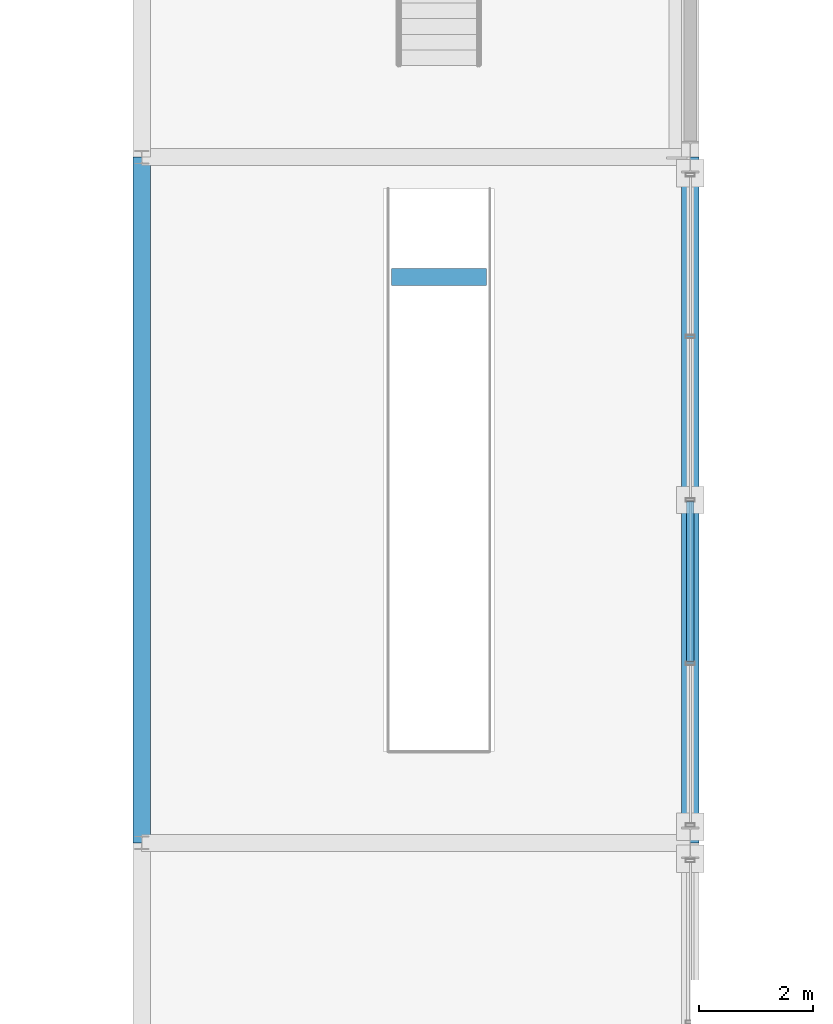
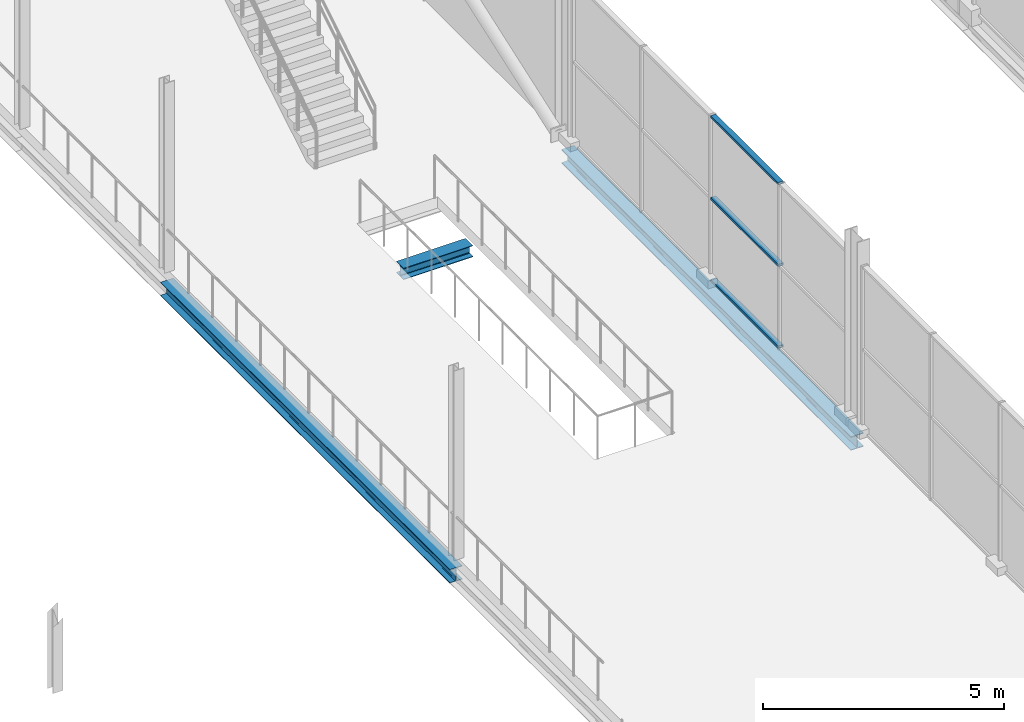
# One storey, part 37 of 159: 3 beams, 3 members, 1 element without a shape of its own.
"""IFC4 building model written with IfcOpenShell, lengths in metres."""

from ifc_helpers import new_model, si_unit, direction, frame, origin, origin_2d, place, context, subcontext, project, spatial, hollow_rectangle, i_section, extrude, material, material_profile, profile_set, type_object, element, aggregate, save


model = new_model("IFC4")

# Units and contexts
model_context = context("Model", 3, precision=1e-05, world=origin(), true_north=direction((0.0, 1.0)))
body_context = subcontext(model_context, "Body", "Model", "MODEL_VIEW")
ifc_project = project(units=[si_unit("LENGTHUNIT", "METRE"), si_unit("AREAUNIT", "SQUARE_METRE"), si_unit("VOLUMEUNIT", "CUBIC_METRE"), si_unit("PLANEANGLEUNIT", "RADIAN"), si_unit("MASSUNIT", "GRAM", prefix="KILO")], contexts=[model_context])

# Site, building, storey
site_placement = place(None, origin())
site = spatial("IfcSite", under=ifc_project, at=site_placement, CompositionType="ELEMENT")
building_placement = place(site_placement, origin())
building = spatial("IfcBuilding", under=site, at=building_placement, Name="Merenkruunu Market Hall", CompositionType="ELEMENT")
storey_placement = place(building_placement, frame((0.0, 0.0, 5.39990234375)))
storey = spatial("IfcBuildingStorey", under=building, at=storey_placement, Name="L01", CompositionType="ELEMENT", Elevation=5.39990234375)

# Curtain wall, members
ifc_material_1 = material(Name="Powder-coated aluminium", Category="aluminium")
curtain_wall_type = type_object("IfcCurtainWallType", Name="Glazed Curtain Wall CW15", PredefinedType="USERDEFINED", material=ifc_material_1)
curtain_wall_placement = place(storey_placement, origin())
curtain_wall = element("IfcCurtainWall", 1, at=curtain_wall_placement, inside=storey, type_object=curtain_wall_type, Name="CW-L01-CWM01-125", ObjectType="GLAZED_FACADE", PredefinedType="USERDEFINED")
ifc_material_profile_1 = material_profile(ifc_material_1, hollow_rectangle(XDim=0.06005859375, YDim=0.125, WallThickness=0.00390625, at=origin_2d()), Name="ALU 60x125x4")
ifc_profile_set_1 = profile_set([ifc_material_profile_1], Name="Powder-coated aluminium")
member_type = type_object("IfcMemberType", Name="Curtain Wall Transom CWT01", PredefinedType="USERDEFINED", material=ifc_profile_set_1)
member_1_placement = place(storey_placement, frame((57.60009765625, 30.77001953125, 0.030029296875), z_axis=(0.0, 1.0, 0.0), x_axis=(0.0, 0.0, 1.0)))
member_1 = element("IfcMember", 2, at=member_1_placement, type_object=member_type, Name="CW15 transom 2.1", ObjectType="TRANSOM", PredefinedType="USERDEFINED", context=body_context, shape_type="SweptSolid", body=[
    extrude(hollow_rectangle(XDim=0.06005859375, YDim=0.125, WallThickness=0.00390625, at=origin_2d()), origin(), (0.0, 0.0, 1.0), 2.800048828125),
])
member_2_placement = place(storey_placement, frame((57.60009765625, 30.77001953125, 2.10009765625), z_axis=(0.0, 1.0, 0.0), x_axis=(0.0, 0.0, 1.0)))
member_2 = element("IfcMember", 3, at=member_2_placement, type_object=member_type, Name="CW15 transom 2.2", ObjectType="TRANSOM", PredefinedType="USERDEFINED", context=body_context, shape_type="SweptSolid", body=[
    extrude(hollow_rectangle(XDim=0.06005859375, YDim=0.125, WallThickness=0.00390625, at=origin_2d()), origin(), (0.0, 0.0, 1.0), 2.800048828125),
])
member_3_placement = place(storey_placement, frame((57.60009765625, 30.77001953125, 4.170166015625), z_axis=(0.0, 1.0, 0.0), x_axis=(0.0, 0.0, 1.0)))
member_3 = element("IfcMember", 4, at=member_3_placement, type_object=member_type, Name="CW15 transom 2.3", ObjectType="TRANSOM", PredefinedType="USERDEFINED", context=body_context, shape_type="SweptSolid", body=[
    extrude(hollow_rectangle(XDim=0.06005859375, YDim=0.125, WallThickness=0.00390625, at=origin_2d()), origin(), (0.0, 0.0, 1.0), 2.800048828125),
])
aggregate(curtain_wall, [member_1, member_2, member_3])

# Beams
ifc_material_2 = material(Name="Steel S355J2", Category="steel")
ifc_material_profile_2 = material_profile(ifc_material_2, i_section(OverallWidth=0.300048828125, OverallDepth=0.35009765625, WebThickness=0.010009765625, FlangeThickness=0.017578125, FilletRadius=0.027099609375, at=origin_2d()), Name="HEA 360")
ifc_profile_set_2 = profile_set([ifc_material_profile_2], Name="Steel S355J2")
beam_type_1 = type_object("IfcBeamType", Name="Primary Floor Girder B08", PredefinedType="BEAM", material=ifc_profile_set_2)
for number, where, z_axis, x_axis, name in (
    (5, (48.0, 27.60009765625, -0.454833984375), (0.0, 1.0, 0.0), (-1.0, 0.0, 0.0), "BM-L01-B08-0572"),
    (6, (57.60009765625, 27.60009765625, -0.454833984375), (0.0, 1.0, 0.0), (-1.0, 0.0, 0.0), "BM-L01-B08-0581"),
):
    element("IfcBeam", number, at=place(storey_placement, frame(where, z_axis=z_axis, x_axis=x_axis)), inside=storey, type_object=beam_type_1, Name=name, PredefinedType="BEAM", context=body_context, shape_type="SweptSolid", body=[
        extrude(i_section(OverallWidth=0.300048828125, OverallDepth=0.35009765625, WebThickness=0.010009765625, FlangeThickness=0.017578125, FilletRadius=0.027099609375, at=origin_2d()), origin(), (0.0, 0.0, 1.0), 12.0),
    ])
ifc_material_profile_3 = material_profile(ifc_material_2, i_section(OverallWidth=0.300048828125, OverallDepth=0.2900390625, WebThickness=0.008544921875, FlangeThickness=0.013916015625, FilletRadius=0.027099609375, at=origin_2d()), Name="HEA 300")
ifc_profile_set_3 = profile_set([ifc_material_profile_3], Name="Steel S355J2")
beam_type_2 = type_object("IfcBeamType", Name="Primary Floor Girder B09", PredefinedType="BEAM", material=ifc_profile_set_3)
beam_placement = place(storey_placement, frame((52.3701171875, 37.5, -0.294921875), z_axis=(1.0, 0.0, 0.0), x_axis=(0.0, 1.0, 0.0)))
element("IfcBeam", 7, at=beam_placement, inside=storey, type_object=beam_type_2, Name="BM-FST-TRIM-3", PredefinedType="BEAM", context=body_context, shape_type="SweptSolid", body=[
    extrude(i_section(OverallWidth=0.300048828125, OverallDepth=0.2900390625, WebThickness=0.008544921875, FlangeThickness=0.013916015625, FilletRadius=0.027099609375, at=origin_2d()), origin(), (0.0, 0.0, 1.0), 1.659912109375),
])

save(model, "model.ifc")
